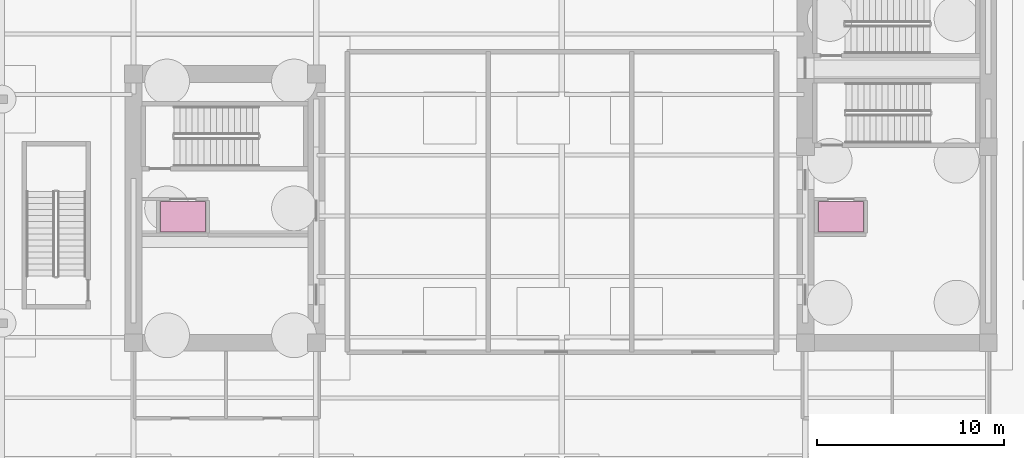
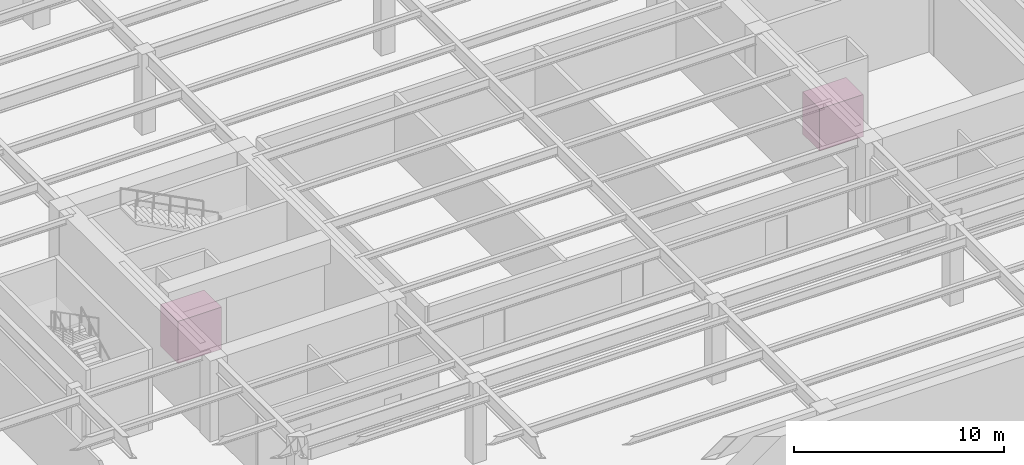
# One storey, part 14 of 14: 2 transport elements.
"""IFC4 building model written with IfcOpenShell, lengths in metres."""

from ifc_helpers import new_model, si_unit, direction, frame, origin, origin_2d, place, context, subcontext, project, spatial, rectangle, extrude, material, type_object, element, save


model = new_model("IFC4")

# Units and contexts
model_context = context("Model", 3, precision=1e-05, world=origin(), true_north=direction((0.0, 1.0)))
body_context = subcontext(model_context, "Body", "Model", "MODEL_VIEW")
ifc_project = project(units=[si_unit("LENGTHUNIT", "METRE"), si_unit("AREAUNIT", "SQUARE_METRE"), si_unit("VOLUMEUNIT", "CUBIC_METRE"), si_unit("PLANEANGLEUNIT", "RADIAN"), si_unit("MASSUNIT", "GRAM", prefix="KILO")], contexts=[model_context])

# Site, building, storey
site_placement = place(None, origin())
site = spatial("IfcSite", under=ifc_project, at=site_placement, CompositionType="ELEMENT")
building_placement = place(site_placement, origin())
building = spatial("IfcBuilding", under=site, at=building_placement, Name="Kolvaren Arena Tower", CompositionType="ELEMENT")
storey_placement = place(building_placement, frame((0.0, 0.0, -10.0)))
storey = spatial("IfcBuildingStorey", under=building, at=storey_placement, Name="B02", CompositionType="ELEMENT", Elevation=-10.0)

# Transport elements
ifc_material = material(Name="Brushed stainless steel elevator cab", Category="steel")
transport_element_type = type_object("IfcTransportElementType", Name="LIFT-FF-SRV", PredefinedType="ELEVATOR", material=ifc_material)
for number, where, z_axis, x_axis, name in (
    (1, (52.4599609375, 26.199951171875, 0.0), (0.0, 0.0, 1.0), (1.0, 0.0, 0.0), "Firefighter Elevator Car FF-E1"),
    (2, (17.199951171875, 26.199951171875, 0.0), (0.0, 0.0, 1.0), (1.0, 0.0, 0.0), "Firefighter Elevator Car FF-W1"),
):
    element("IfcTransportElement", number, at=place(storey_placement, frame(where, z_axis=z_axis, x_axis=x_axis)), inside=storey, type_object=transport_element_type, Name=name, PredefinedType="ELEVATOR", context=body_context, shape_type="SweptSolid", body=[
        extrude(rectangle(XDim=2.39990234375, YDim=1.64990234375, at=origin_2d()), origin(), (0.0, 0.0, 1.0), 2.449951171875),
    ])

save(model, "model.ifc")
